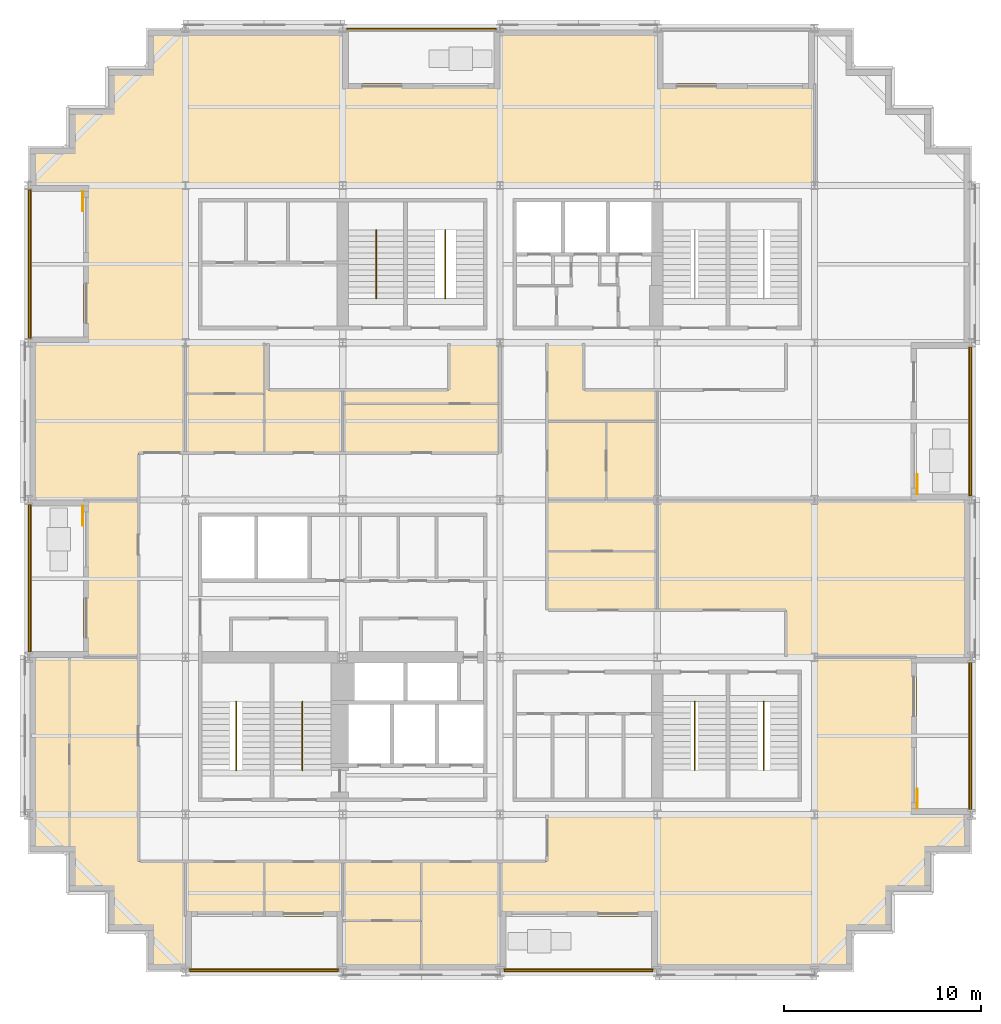
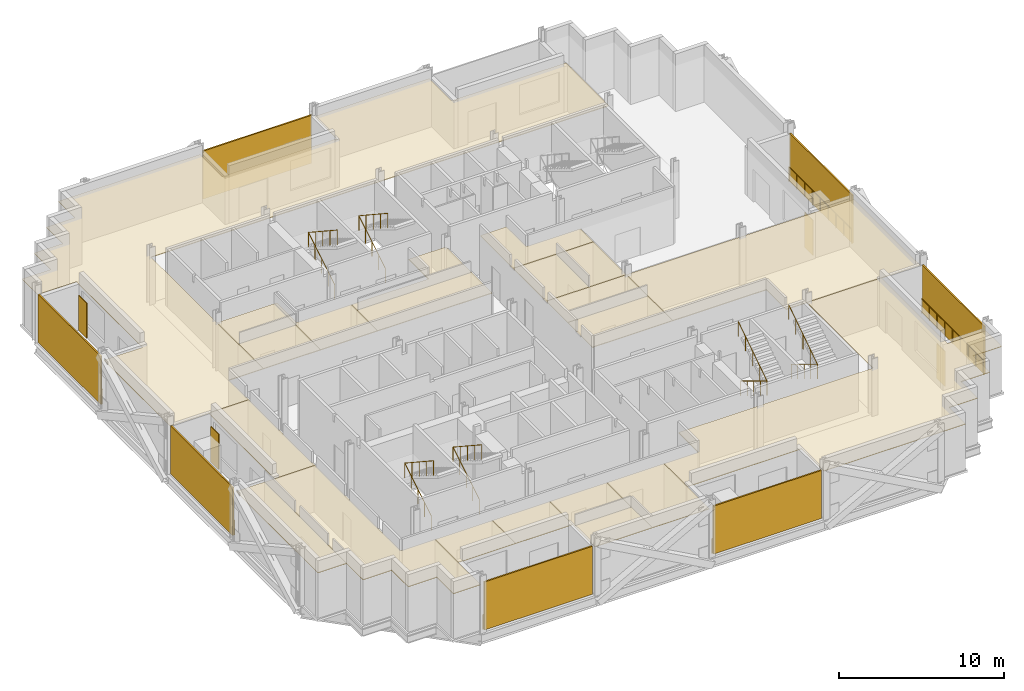
# One storey, part 12 of 14: 21 coverings, 12 railings, 11 shading devices.
"""IFC4 building model written with IfcOpenShell, lengths in metres."""

import ifcopenshell
import ifcopenshell.guid

model = None  # the IFC model being written
_history = None  # IfcOwnerHistory: only IFC2X3 demands one
_inside = {}  # id of a spatial element -> (the spatial element, [elements in it])
_under = {}  # id of a project, library or spatial element -> (it, [spatial elements below it])
_declared = {}  # id of a project -> (the project, [libraries it declares])
_typed = {}  # id of a type object -> (the type object, [elements of that type])
_made_of = {}  # id of a material, layer set ... -> (it, [elements and type objects made of it])


def new_model(schema):
    """Start an empty IFC model of exactly this schema.

    Asked for "IFC4X3", IfcOpenShell would pick the latest addendum, in which some entities
    have other attributes; the version numbers below select the first issue.
    IFC2X3 requires an IfcOwnerHistory on every rooted entity: one is made here for all.
    """
    global model, _history
    if schema == "IFC4X3":
        model = ifcopenshell.file(schema_version=(4, 3, 0, 0))
    else:
        model = ifcopenshell.file(schema=schema)
    _inside.clear()
    _under.clear()
    _declared.clear()
    _typed.clear()
    _made_of.clear()
    _history = None
    if model.schema == "IFC2X3":
        org = make("IfcOrganization", Name="unknown")
        user = make(
            "IfcPersonAndOrganization",
            ThePerson=make("IfcPerson", FamilyName="unknown"),
            TheOrganization=org,
        )
        app = make(
            "IfcApplication",
            ApplicationDeveloper=org,
            Version="unknown",
            ApplicationFullName="unknown",
            ApplicationIdentifier="unknown",
        )
        _history = make(
            "IfcOwnerHistory",
            OwningUser=user,
            OwningApplication=app,
            ChangeAction="ADDED",
            CreationDate=0,
        )
    return model


def make(cls, **values):
    """One entity of the class cls with the attributes given. An attribute that is None is left unset."""
    return model.create_entity(
        cls, **{name: value for name, value in values.items() if value is not None}
    )


def rooted(cls, **values):
    """An entity with a GlobalId (a new one), such as an element, a storey or a relation."""
    return make(cls, GlobalId=ifcopenshell.guid.new(), OwnerHistory=_history, **values)


def si_unit(unit_type, name, prefix=None):
    """IfcSIUnit, for example si_unit("LENGTHUNIT", "METRE", prefix="MILLI")."""
    return make("IfcSIUnit", UnitType=unit_type, Prefix=prefix, Name=name)


def assignment(units):
    """IfcUnitAssignment: the units of a project."""
    return None if units is None else make("IfcUnitAssignment", Units=units)


def point(xyz):
    """IfcCartesianPoint."""
    return None if xyz is None else make("IfcCartesianPoint", Coordinates=xyz)


def direction(xyz):
    """IfcDirection."""
    return None if xyz is None else make("IfcDirection", DirectionRatios=xyz)


def frame(location, z_axis=None, x_axis=None):
    """IfcAxis2Placement3D, a coordinate frame: its origin and axes. An axis left out is left unset."""
    return make(
        "IfcAxis2Placement3D",
        Location=point(location),
        Axis=direction(z_axis),
        RefDirection=direction(x_axis),
    )


def frame_2d(location, x_axis=None):
    """IfcAxis2Placement2D, a coordinate frame in the plane: its origin and x axis."""
    return make(
        "IfcAxis2Placement2D", Location=point(location), RefDirection=direction(x_axis)
    )


def origin():
    """The frame at (0, 0, 0) with its axes left unset."""
    return frame((0.0, 0.0, 0.0))


def origin_2d():
    """The frame at (0, 0) in the plane with its x axis left unset."""
    return frame_2d((0.0, 0.0))


def place(relative_to, where):
    """IfcLocalPlacement: puts the frame where relative to a parent placement (None: the world)."""
    return make(
        "IfcLocalPlacement", PlacementRelTo=relative_to, RelativePlacement=where
    )


def context(
    kind, dimensions, precision=None, world=None, true_north=None, identifier=None
):
    """IfcGeometricRepresentationContext, for example the 3D "Model" context."""
    return make(
        "IfcGeometricRepresentationContext",
        ContextIdentifier=identifier,
        ContextType=kind,
        CoordinateSpaceDimension=dimensions,
        Precision=precision,
        WorldCoordinateSystem=world,
        TrueNorth=true_north,
    )


def subcontext(parent, identifier, kind, view, scale=None):
    """IfcGeometricRepresentationSubContext, for example "Body" below "Model"."""
    return make(
        "IfcGeometricRepresentationSubContext",
        ContextIdentifier=identifier,
        ContextType=kind,
        ParentContext=parent,
        TargetScale=scale,
        TargetView=view,
    )


def project(units=None, contexts=None):
    """IfcProject with its units and contexts."""
    return rooted(
        "IfcProject",
        Name="project",
        RepresentationContexts=contexts,
        UnitsInContext=assignment(units),
    )


def spatial(cls, under=None, at=None, **own):
    """A site, building, storey or space (cls), placed at a placement, below another one or the project."""
    s = rooted(cls, ObjectPlacement=at, **own)
    if under is not None:
        _under.setdefault(under.id(), (under, []))[1].append(s)
    return s


def polyline(points):
    """IfcPolyline through the points."""
    return make("IfcPolyline", Points=[point(p) for p in points])


def profile(cls, at=None, kind="AREA", **sizes):
    """A parametric profile (cls). Its sizes go by their IFC names, for example OverallWidth=200.0."""
    return make(cls, ProfileType=kind, Position=at, **sizes)


def rectangle(**sizes):
    """IfcRectangleProfileDef."""
    return profile("IfcRectangleProfileDef", **sizes)


def circle(**sizes):
    """IfcCircleProfileDef."""
    return profile("IfcCircleProfileDef", **sizes)


def outline(outer, holes=None, kind="AREA"):
    """IfcArbitraryClosedProfileDef: a profile drawn as a closed curve; with holes, ...WithVoids."""
    if holes is None:
        return make("IfcArbitraryClosedProfileDef", ProfileType=kind, OuterCurve=outer)
    return make(
        "IfcArbitraryProfileDefWithVoids",
        ProfileType=kind,
        OuterCurve=outer,
        InnerCurves=holes,
    )


def extrude(swept, where, along, depth):
    """IfcExtrudedAreaSolid: the profile swept, set in the frame where, extruded along a direction by depth."""
    return make(
        "IfcExtrudedAreaSolid",
        SweptArea=swept,
        Position=where,
        ExtrudedDirection=direction(along),
        Depth=depth,
    )


def shape(context_of_items, identifier, shape_type, items):
    """IfcShapeRepresentation: the items that make up one representation, for example the "Body"."""
    return make(
        "IfcShapeRepresentation",
        ContextOfItems=context_of_items,
        RepresentationIdentifier=identifier,
        RepresentationType=shape_type,
        Items=items,
    )


def material(Name=None, Category=None):
    """IfcMaterial."""
    return make("IfcMaterial", Name=Name, Category=Category)


def layer(
    of_material, thickness, ventilated=None, Name=None, Category=None, Priority=None
):
    """IfcMaterialLayer: one layer of a wall or slab, of a material (None: an air gap)."""
    return make(
        "IfcMaterialLayer",
        Material=of_material,
        LayerThickness=thickness,
        IsVentilated=ventilated,
        Name=Name,
        Category=Category,
        Priority=Priority,
    )


def layer_set(layers, Name=None):
    """IfcMaterialLayerSet."""
    return make("IfcMaterialLayerSet", MaterialLayers=layers, LayerSetName=Name)


def made_of(thing, what):
    """Note that an element or type object is made of a material, layer set ...; save() writes the relation."""
    if what is not None:
        _made_of.setdefault(what.id(), (what, []))[1].append(thing)
    return thing


def type_object(cls, material=None, **own):
    """A type object (cls), such as IfcWallType, which elements share."""
    return made_of(rooted(cls, **own), material)


def element(
    cls,
    number,
    at=None,
    inside=None,
    cuts=None,
    type_object=None,
    material=None,
    context=None,
    identifier="Body",
    shape_type=None,
    held_by="IfcProductDefinitionShape",
    body=None,
    shapes=None,
    **own,
):
    """One element of the class cls, such as IfcWall. Its Tag is "e" and its number.

    at: its placement. inside: the storey or other place that contains it. cuts: it is an
    opening in that element (IfcRelVoidsElement). A single representation is given by context,
    identifier, shape_type and body (its items); several are given by shapes. held_by: the class
    of the entity that holds the representations. save() writes the other relations.
    """
    e = rooted(cls, Tag="e%d" % number, ObjectPlacement=at, **own)
    if body is not None:
        shapes = [shape(context, identifier, shape_type, body)]
    if shapes is not None:
        e.Representation = make(held_by, Representations=shapes)
    if inside is not None:
        _inside.setdefault(inside.id(), (inside, []))[1].append(e)
    if cuts is not None:
        rooted(
            "IfcRelVoidsElement", RelatingBuildingElement=cuts, RelatedOpeningElement=e
        )
    if type_object is not None:
        _typed.setdefault(type_object.id(), (type_object, []))[1].append(e)
    return made_of(e, material)


def aggregate(whole, parts):
    """IfcRelAggregates: a whole, such as a stair, and the parts it consists of."""
    return rooted("IfcRelAggregates", RelatingObject=whole, RelatedObjects=parts)


def save(model, path):
    """Write the relations noted so far, then the file.

    IfcRelAggregates (storeys below a building ...), IfcRelContainedInSpatialStructure (elements
    in a storey), IfcRelDefinesByType, IfcRelAssociatesMaterial and IfcRelDeclares: one each for
    every whole, place, type object, material and project.
    """
    for whole, parts in _under.values():
        aggregate(whole, parts)
    for where, things in _inside.values():
        rooted(
            "IfcRelContainedInSpatialStructure",
            RelatedElements=things,
            RelatingStructure=where,
        )
    for kind, things in _typed.values():
        rooted("IfcRelDefinesByType", RelatedObjects=things, RelatingType=kind)
    for what, things in _made_of.values():
        rooted("IfcRelAssociatesMaterial", RelatedObjects=things, RelatingMaterial=what)
    for by, libraries in _declared.values():
        rooted("IfcRelDeclares", RelatingContext=by, RelatedDefinitions=libraries)
    model.write(path)


model = new_model("IFC4")

# Units and contexts
model_context = context("Model", 3, precision=1e-05, world=origin(), true_north=direction((0.0, 1.0)))
body_context = subcontext(model_context, "Body", "Model", "MODEL_VIEW")
ifc_project = project(units=[si_unit("LENGTHUNIT", "METRE"), si_unit("AREAUNIT", "SQUARE_METRE"), si_unit("VOLUMEUNIT", "CUBIC_METRE"), si_unit("PLANEANGLEUNIT", "RADIAN"), si_unit("MASSUNIT", "GRAM", prefix="KILO")], contexts=[model_context])

# Site, building, storey
site_placement = place(None, origin())
site = spatial("IfcSite", under=ifc_project, at=site_placement, CompositionType="ELEMENT")
building_placement = place(site_placement, origin())
building = spatial("IfcBuilding", under=site, at=building_placement, Name="Immortelle Media Tower", CompositionType="ELEMENT")
storey_placement = place(building_placement, frame((0.0, 0.0, 39.199951171875)))
storey = spatial("IfcBuildingStorey", under=building, at=storey_placement, Name="L05", CompositionType="ELEMENT", Elevation=39.199951171875)

# Railings
ifc_material_1 = material(Name="Powder-coated aluminium fretwork panel, laminated glass backing", Category="aluminium")
railing_type_1 = type_object("IfcRailingType", Name="Fretwork balustrade 1100", PredefinedType="BALUSTRADE", material=ifc_material_1)
railing_1_placement = place(storey_placement, frame((0.139892578125, 39.79150390625, 0.0)))
element("IfcRailing", 1, at=railing_1_placement, inside=storey, type_object=railing_type_1, Name="Fretwork balustrade L05 W0", PredefinedType="BALUSTRADE", context=body_context, shape_type="SweptSolid", body=[
    extrude(circle(Radius=0.02490234375, at=origin_2d()), frame((0.0, 0.0, 1.0751953125), z_axis=(0.0, -1.0, 0.0), x_axis=(1.0, 0.0, 0.0)), (0.0, 0.0, 1.0), 7.574462890625),
    extrude(circle(Radius=0.02001953125, at=origin_2d()), origin(), (0.0, 0.0, 1.0), 1.050048828125),
    extrude(circle(Radius=0.02001953125, at=origin_2d()), frame((0.0, -0.94677734375, 0.0)), (0.0, 0.0, 1.0), 1.050048828125),
    extrude(circle(Radius=0.02001953125, at=origin_2d()), frame((0.0, -1.8935546875, 0.0)), (0.0, 0.0, 1.0), 1.050048828125),
    extrude(circle(Radius=0.02001953125, at=origin_2d()), frame((0.0, -2.84033203125, 0.0)), (0.0, 0.0, 1.0), 1.050048828125),
    extrude(circle(Radius=0.02001953125, at=origin_2d()), frame((0.0, -3.787109375, 0.0)), (0.0, 0.0, 1.0), 1.050048828125),
    extrude(circle(Radius=0.02001953125, at=origin_2d()), frame((0.0, -4.734130859375, 0.0)), (0.0, 0.0, 1.0), 1.050048828125),
    extrude(circle(Radius=0.02001953125, at=origin_2d()), frame((0.0, -5.680908203125, 0.0)), (0.0, 0.0, 1.0), 1.050048828125),
    extrude(circle(Radius=0.02001953125, at=origin_2d()), frame((0.0, -6.627685546875, 0.0)), (0.0, 0.0, 1.0), 1.050048828125),
    extrude(circle(Radius=0.02001953125, at=origin_2d()), frame((0.0, -7.574462890625, 0.0)), (0.0, 0.0, 1.0), 1.050048828125),
])
railing_2_placement = place(storey_placement, frame((0.139892578125, 23.782958984375, 0.0)))
element("IfcRailing", 2, at=railing_2_placement, inside=storey, type_object=railing_type_1, Name="Fretwork balustrade L05 W2", PredefinedType="BALUSTRADE", context=body_context, shape_type="SweptSolid", body=[
    extrude(circle(Radius=0.02490234375, at=origin_2d()), frame((0.0, 0.0, 1.0751953125), z_axis=(0.0, -1.0, 0.0), x_axis=(1.0, 0.0, 0.0)), (0.0, 0.0, 1.0), 7.517578125),
    extrude(circle(Radius=0.02001953125, at=origin_2d()), origin(), (0.0, 0.0, 1.0), 1.050048828125),
    extrude(circle(Radius=0.02001953125, at=origin_2d()), frame((0.0, -0.939697265625, 0.0)), (0.0, 0.0, 1.0), 1.050048828125),
    extrude(circle(Radius=0.02001953125, at=origin_2d()), frame((0.0, -1.87939453125, 0.0)), (0.0, 0.0, 1.0), 1.050048828125),
    extrude(circle(Radius=0.02001953125, at=origin_2d()), frame((0.0, -2.819091796875, 0.0)), (0.0, 0.0, 1.0), 1.050048828125),
    extrude(circle(Radius=0.02001953125, at=origin_2d()), frame((0.0, -3.7587890625, 0.0)), (0.0, 0.0, 1.0), 1.050048828125),
    extrude(circle(Radius=0.02001953125, at=origin_2d()), frame((0.0, -4.698486328125, 0.0)), (0.0, 0.0, 1.0), 1.050048828125),
    extrude(circle(Radius=0.02001953125, at=origin_2d()), frame((0.0, -5.63818359375, 0.0)), (0.0, 0.0, 1.0), 1.050048828125),
    extrude(circle(Radius=0.02001953125, at=origin_2d()), frame((0.0, -6.577880859375, 0.0)), (0.0, 0.0, 1.0), 1.050048828125),
    extrude(circle(Radius=0.02001953125, at=origin_2d()), frame((0.0, -7.517578125, 0.0)), (0.0, 0.0, 1.0), 1.050048828125),
])
railing_3_placement = place(storey_placement, frame((8.216064453125, 0.139892578125, 0.0)))
element("IfcRailing", 3, at=railing_3_placement, inside=storey, type_object=railing_type_1, Name="Fretwork balustrade L05 S0", PredefinedType="BALUSTRADE", context=body_context, shape_type="SweptSolid", body=[
    extrude(circle(Radius=0.02490234375, at=origin_2d()), frame((0.0, 0.0, 1.0751953125), z_axis=(1.0, 0.0, 0.0), x_axis=(0.0, 1.0, 0.0)), (0.0, 0.0, 1.0), 7.56298828125),
    extrude(circle(Radius=0.02001953125, at=origin_2d()), origin(), (0.0, 0.0, 1.0), 1.050048828125),
    extrude(circle(Radius=0.02001953125, at=origin_2d()), frame((0.9453125, 0.0, 0.0)), (0.0, 0.0, 1.0), 1.050048828125),
    extrude(circle(Radius=0.02001953125, at=origin_2d()), frame((1.890625, 0.0, 0.0)), (0.0, 0.0, 1.0), 1.050048828125),
    extrude(circle(Radius=0.02001953125, at=origin_2d()), frame((2.836181640625, 0.0, 0.0)), (0.0, 0.0, 1.0), 1.050048828125),
    extrude(circle(Radius=0.02001953125, at=origin_2d()), frame((3.781494140625, 0.0, 0.0)), (0.0, 0.0, 1.0), 1.050048828125),
    extrude(circle(Radius=0.02001953125, at=origin_2d()), frame((4.726806640625, 0.0, 0.0)), (0.0, 0.0, 1.0), 1.050048828125),
    extrude(circle(Radius=0.02001953125, at=origin_2d()), frame((5.67236328125, 0.0, 0.0)), (0.0, 0.0, 1.0), 1.050048828125),
    extrude(circle(Radius=0.02001953125, at=origin_2d()), frame((6.61767578125, 0.0, 0.0)), (0.0, 0.0, 1.0), 1.050048828125),
    extrude(circle(Radius=0.02001953125, at=origin_2d()), frame((7.56298828125, 0.0, 0.0)), (0.0, 0.0, 1.0), 1.050048828125),
])
railing_4_placement = place(storey_placement, frame((24.220947265625, 0.139892578125, 0.0)))
element("IfcRailing", 4, at=railing_4_placement, inside=storey, type_object=railing_type_1, Name="Fretwork balustrade L05 S2", PredefinedType="BALUSTRADE", context=body_context, shape_type="SweptSolid", body=[
    extrude(circle(Radius=0.02490234375, at=origin_2d()), frame((0.0, 0.0, 1.0751953125), z_axis=(1.0, 0.0, 0.0), x_axis=(0.0, 1.0, 0.0)), (0.0, 0.0, 1.0), 7.55810546875),
    extrude(circle(Radius=0.02001953125, at=origin_2d()), origin(), (0.0, 0.0, 1.0), 1.050048828125),
    extrude(circle(Radius=0.02001953125, at=origin_2d()), frame((0.94482421875, 0.0, 0.0)), (0.0, 0.0, 1.0), 1.050048828125),
    extrude(circle(Radius=0.02001953125, at=origin_2d()), frame((1.8896484375, 0.0, 0.0)), (0.0, 0.0, 1.0), 1.050048828125),
    extrude(circle(Radius=0.02001953125, at=origin_2d()), frame((2.834228515625, 0.0, 0.0)), (0.0, 0.0, 1.0), 1.050048828125),
    extrude(circle(Radius=0.02001953125, at=origin_2d()), frame((3.779052734375, 0.0, 0.0)), (0.0, 0.0, 1.0), 1.050048828125),
    extrude(circle(Radius=0.02001953125, at=origin_2d()), frame((4.723876953125, 0.0, 0.0)), (0.0, 0.0, 1.0), 1.050048828125),
    extrude(circle(Radius=0.02001953125, at=origin_2d()), frame((5.66845703125, 0.0, 0.0)), (0.0, 0.0, 1.0), 1.050048828125),
    extrude(circle(Radius=0.02001953125, at=origin_2d()), frame((6.61328125, 0.0, 0.0)), (0.0, 0.0, 1.0), 1.050048828125),
    extrude(circle(Radius=0.02001953125, at=origin_2d()), frame((7.55810546875, 0.0, 0.0)), (0.0, 0.0, 1.0), 1.050048828125),
])
railing_5_placement = place(storey_placement, frame((47.860107421875, 8.2490234375, 0.0)))
element("IfcRailing", 5, at=railing_5_placement, inside=storey, type_object=railing_type_1, Name="Fretwork balustrade L05 E0", PredefinedType="BALUSTRADE", context=body_context, shape_type="SweptSolid", body=[
    extrude(circle(Radius=0.02490234375, at=origin_2d()), frame((0.0, 0.0, 1.0751953125), z_axis=(0.0, 1.0, 0.0), x_axis=(-1.0, 0.0, 0.0)), (0.0, 0.0, 1.0), 7.485595703125),
    extrude(circle(Radius=0.02001953125, at=origin_2d()), origin(), (0.0, 0.0, 1.0), 1.050048828125),
    extrude(circle(Radius=0.02001953125, at=origin_2d()), frame((0.0, 0.935791015625, 0.0)), (0.0, 0.0, 1.0), 1.050048828125),
    extrude(circle(Radius=0.02001953125, at=origin_2d()), frame((0.0, 1.871337890625, 0.0)), (0.0, 0.0, 1.0), 1.050048828125),
    extrude(circle(Radius=0.02001953125, at=origin_2d()), frame((0.0, 2.80712890625, 0.0)), (0.0, 0.0, 1.0), 1.050048828125),
    extrude(circle(Radius=0.02001953125, at=origin_2d()), frame((0.0, 3.74267578125, 0.0)), (0.0, 0.0, 1.0), 1.050048828125),
    extrude(circle(Radius=0.02001953125, at=origin_2d()), frame((0.0, 4.678466796875, 0.0)), (0.0, 0.0, 1.0), 1.050048828125),
    extrude(circle(Radius=0.02001953125, at=origin_2d()), frame((0.0, 5.6142578125, 0.0)), (0.0, 0.0, 1.0), 1.050048828125),
    extrude(circle(Radius=0.02001953125, at=origin_2d()), frame((0.0, 6.5498046875, 0.0)), (0.0, 0.0, 1.0), 1.050048828125),
    extrude(circle(Radius=0.02001953125, at=origin_2d()), frame((0.0, 7.485595703125, 0.0)), (0.0, 0.0, 1.0), 1.050048828125),
])
railing_6_placement = place(storey_placement, frame((47.860107421875, 24.20849609375, 0.0)))
element("IfcRailing", 6, at=railing_6_placement, inside=storey, type_object=railing_type_1, Name="Fretwork balustrade L05 E2", PredefinedType="BALUSTRADE", context=body_context, shape_type="SweptSolid", body=[
    extrude(circle(Radius=0.02490234375, at=origin_2d()), frame((0.0, 0.0, 1.0751953125), z_axis=(0.0, 1.0, 0.0), x_axis=(-1.0, 0.0, 0.0)), (0.0, 0.0, 1.0), 7.5830078125),
    extrude(circle(Radius=0.02001953125, at=origin_2d()), origin(), (0.0, 0.0, 1.0), 1.050048828125),
    extrude(circle(Radius=0.02001953125, at=origin_2d()), frame((0.0, 0.94775390625, 0.0)), (0.0, 0.0, 1.0), 1.050048828125),
    extrude(circle(Radius=0.02001953125, at=origin_2d()), frame((0.0, 1.895751953125, 0.0)), (0.0, 0.0, 1.0), 1.050048828125),
    extrude(circle(Radius=0.02001953125, at=origin_2d()), frame((0.0, 2.84375, 0.0)), (0.0, 0.0, 1.0), 1.050048828125),
    extrude(circle(Radius=0.02001953125, at=origin_2d()), frame((0.0, 3.79150390625, 0.0)), (0.0, 0.0, 1.0), 1.050048828125),
    extrude(circle(Radius=0.02001953125, at=origin_2d()), frame((0.0, 4.7392578125, 0.0)), (0.0, 0.0, 1.0), 1.050048828125),
    extrude(circle(Radius=0.02001953125, at=origin_2d()), frame((0.0, 5.687255859375, 0.0)), (0.0, 0.0, 1.0), 1.050048828125),
    extrude(circle(Radius=0.02001953125, at=origin_2d()), frame((0.0, 6.63525390625, 0.0)), (0.0, 0.0, 1.0), 1.050048828125),
    extrude(circle(Radius=0.02001953125, at=origin_2d()), frame((0.0, 7.5830078125, 0.0)), (0.0, 0.0, 1.0), 1.050048828125),
])

# Shading devices
ifc_material_2 = material(Name="Pale aluminium louvre blades", Category="aluminium")
ifc_layer_1 = layer(ifc_material_2, 0.10009765625)
ifc_layer_set_1 = layer_set([ifc_layer_1], Name="Pale aluminium louvre blades")
shading_device_type_1 = type_object("IfcShadingDeviceType", Name="Jalousie screen 100", PredefinedType="JALOUSIE", material=ifc_layer_set_1)
shading_device_1_placement = place(storey_placement, frame((0.050048828125, 36.004150390625, 0.0), z_axis=(0.0, 0.0, 1.0), x_axis=(0.0, -1.0, 0.0)))
element("IfcShadingDevice", 7, at=shading_device_1_placement, inside=storey, type_object=shading_device_type_1, Name="Jalousie screen L05 W0", PredefinedType="JALOUSIE", context=body_context, shape_type="SweptSolid", body=[
    extrude(rectangle(XDim=7.574462890625, YDim=0.10009765625, at=origin_2d()), origin(), (0.0, 0.0, 1.0), 3.553955078125),
])
shading_device_2_placement = place(storey_placement, frame((0.050048828125, 20.024169921875, 0.0), z_axis=(0.0, 0.0, 1.0), x_axis=(0.0, -1.0, 0.0)))
element("IfcShadingDevice", 8, at=shading_device_2_placement, inside=storey, type_object=shading_device_type_1, Name="Jalousie screen L05 W2", PredefinedType="JALOUSIE", context=body_context, shape_type="SweptSolid", body=[
    extrude(rectangle(XDim=7.517578125, YDim=0.10009765625, at=origin_2d()), origin(), (0.0, 0.0, 1.0), 3.553955078125),
])
shading_device_3_placement = place(storey_placement, frame((11.99755859375, 0.050048828125, 0.0), z_axis=(0.0, 0.0, 1.0), x_axis=(1.0, 0.0, 0.0)))
element("IfcShadingDevice", 9, at=shading_device_3_placement, inside=storey, type_object=shading_device_type_1, Name="Jalousie screen L05 S0", PredefinedType="JALOUSIE", context=body_context, shape_type="SweptSolid", body=[
    extrude(rectangle(XDim=7.56298828125, YDim=0.10009765625, at=origin_2d()), origin(), (0.0, 0.0, 1.0), 3.553955078125),
])
shading_device_4_placement = place(storey_placement, frame((28.0, 0.050048828125, 0.0), z_axis=(0.0, 0.0, 1.0), x_axis=(1.0, 0.0, 0.0)))
element("IfcShadingDevice", 10, at=shading_device_4_placement, inside=storey, type_object=shading_device_type_1, Name="Jalousie screen L05 S2", PredefinedType="JALOUSIE", context=body_context, shape_type="SweptSolid", body=[
    extrude(rectangle(XDim=7.55810546875, YDim=0.10009765625, at=origin_2d()), origin(), (0.0, 0.0, 1.0), 3.553955078125),
])
shading_device_5_placement = place(storey_placement, frame((47.949951171875, 11.99169921875, 0.0), z_axis=(0.0, 0.0, 1.0), x_axis=(0.0, 1.0, 0.0)))
element("IfcShadingDevice", 11, at=shading_device_5_placement, inside=storey, type_object=shading_device_type_1, Name="Jalousie screen L05 E0", PredefinedType="JALOUSIE", context=body_context, shape_type="SweptSolid", body=[
    extrude(rectangle(XDim=7.485595703125, YDim=0.10009765625, at=origin_2d()), origin(), (0.0, 0.0, 1.0), 3.553955078125),
])
shading_device_6_placement = place(storey_placement, frame((47.949951171875, 28.0, 0.0), z_axis=(0.0, 0.0, 1.0), x_axis=(0.0, 1.0, 0.0)))
element("IfcShadingDevice", 12, at=shading_device_6_placement, inside=storey, type_object=shading_device_type_1, Name="Jalousie screen L05 E2", PredefinedType="JALOUSIE", context=body_context, shape_type="SweptSolid", body=[
    extrude(rectangle(XDim=7.5830078125, YDim=0.10009765625, at=origin_2d()), origin(), (0.0, 0.0, 1.0), 3.553955078125),
])
shading_device_7_placement = place(storey_placement, frame((20.001220703125, 47.949951171875, 0.0), z_axis=(0.0, 0.0, 1.0), x_axis=(-1.0, 0.0, 0.0)))
element("IfcShadingDevice", 13, at=shading_device_7_placement, inside=storey, type_object=shading_device_type_1, Name="Jalousie screen L05 N2", PredefinedType="JALOUSIE", context=body_context, shape_type="SweptSolid", body=[
    extrude(rectangle(XDim=7.591552734375, YDim=0.10009765625, at=origin_2d()), origin(), (0.0, 0.0, 1.0), 3.553955078125),
])
ifc_material_3 = material(Name="Pale aluminium louvre blades in a folding frame", Category="aluminium")
ifc_layer_2 = layer(ifc_material_3, 0.050048828125)
ifc_layer_set_2 = layer_set([ifc_layer_2], Name="Pale aluminium louvre blades in a folding frame")
shading_device_type_2 = type_object("IfcShadingDeviceType", Name="Louvred loggia shutter", PredefinedType="SHUTTER", material=ifc_layer_set_2)
for number, where, z_axis, x_axis, name in (
    (14, (2.77490234375, 39.199951171875, 0.0), (0.0, 0.0, 1.0), (0.0, -1.0, 0.0), "Loggia shutter L05 W0"),
    (15, (2.77490234375, 23.199951171875, 0.0), (0.0, 0.0, 1.0), (0.0, -1.0, 0.0), "Loggia shutter L05 W2"),
    (16, (45.22509765625, 8.800048828125, 0.0), (0.0, 0.0, 1.0), (0.0, 1.0, 0.0), "Loggia shutter L05 E0"),
    (17, (45.22509765625, 24.800048828125, 0.0), (0.0, 0.0, 1.0), (0.0, 1.0, 0.0), "Loggia shutter L05 E2"),
):
    element("IfcShadingDevice", number, at=place(storey_placement, frame(where, z_axis=z_axis, x_axis=x_axis)), inside=storey, type_object=shading_device_type_2, Name=name, PredefinedType="SHUTTER", context=body_context, shape_type="SweptSolid", body=[
        extrude(rectangle(XDim=1.0, YDim=0.050048828125, at=origin_2d()), origin(), (0.0, 0.0, 1.0), 2.60009765625),
    ])

# Railings
ifc_material_4 = material(Name="Stainless steel AISI 316", Category="steel")
railing_type_2 = type_object("IfcRailingType", Name="Stair guard 1100", PredefinedType="GUARDRAIL", material=ifc_material_4)
for number, where, name in (
    (18, (10.574951171875, 10.5400390625, 0.176025390625), "Stair guard SW1"),
    (19, (13.949951171875, 10.5400390625, 0.176025390625), "Stair guard SW2"),
):
    element("IfcRailing", number, at=place(storey_placement, frame(where)), inside=storey, type_object=railing_type_2, Name=name, PredefinedType="GUARDRAIL", context=body_context, shape_type="SweptSolid", body=[
        extrude(circle(Radius=0.02392578125, at=origin_2d()), frame((0.0, 0.0, 1.076171875), z_axis=(0.0, 0.854872504309, 0.518838126371), x_axis=(-1.0, 0.0, 0.0)), (0.0, 0.0, 1.0), 3.7314453125),
        extrude(circle(Radius=0.02392578125, at=origin_2d()), frame((0.0, 3.18994140625, 3.01220703125), z_axis=(0.0, -0.835568629342, 0.549386080693), x_axis=(1.0, 0.0, 0.0)), (0.0, 0.0, 1.0), 4.164794921875),
        extrude(circle(Radius=0.02099609375, at=origin_2d()), origin(), (0.0, 0.0, 1.0), 1.052001953125),
        extrude(circle(Radius=0.02099609375, at=origin_2d()), frame((0.0, 0.79736328125, 0.48388671875)), (0.0, 0.0, 1.0), 1.052001953125),
        extrude(circle(Radius=0.02099609375, at=origin_2d()), frame((0.0, 1.594970703125, 0.968017578125)), (0.0, 0.0, 1.0), 1.052001953125),
        extrude(circle(Radius=0.02099609375, at=origin_2d()), frame((0.0, 2.392578125, 1.4521484375)), (0.0, 0.0, 1.0), 1.052001953125),
        extrude(circle(Radius=0.02099609375, at=origin_2d()), frame((0.0, 3.18994140625, 1.93603515625)), (0.0, 0.0, 1.0), 1.052001953125),
        extrude(circle(Radius=0.02099609375, at=origin_2d()), frame((0.0, 2.31982421875, 2.508056640625)), (0.0, 0.0, 1.0), 1.052001953125),
        extrude(circle(Radius=0.02099609375, at=origin_2d()), frame((0.0, 1.449951171875, 3.080078125)), (0.0, 0.0, 1.0), 1.052001953125),
        extrude(circle(Radius=0.02099609375, at=origin_2d()), frame((0.0, 0.580078125, 3.652099609375)), (0.0, 0.0, 1.0), 1.052001953125),
        extrude(circle(Radius=0.02099609375, at=origin_2d()), frame((0.0, -0.2900390625, 4.22412109375)), (0.0, 0.0, 1.0), 1.052001953125),
    ])
for number, where, name in (
    (20, (33.89990234375, 13.4599609375, 0.176025390625), "Stair guard SE1"),
    (21, (37.425048828125, 13.4599609375, 0.176025390625), "Stair guard SE2"),
):
    element("IfcRailing", number, at=place(storey_placement, frame(where)), inside=storey, type_object=railing_type_2, Name=name, PredefinedType="GUARDRAIL", context=body_context, shape_type="SweptSolid", body=[
        extrude(circle(Radius=0.02392578125, at=origin_2d()), frame((0.0, 0.0, 1.076171875), z_axis=(0.0, -0.854872504309, 0.518838126371), x_axis=(1.0, 0.0, 0.0)), (0.0, 0.0, 1.0), 3.7314453125),
        extrude(circle(Radius=0.02392578125, at=origin_2d()), frame((0.0, -3.18994140625, 3.01220703125), z_axis=(0.0, 0.835568629342, 0.549386080693), x_axis=(-1.0, 0.0, 0.0)), (0.0, 0.0, 1.0), 4.164794921875),
        extrude(circle(Radius=0.02099609375, at=origin_2d()), origin(), (0.0, 0.0, 1.0), 1.052001953125),
        extrude(circle(Radius=0.02099609375, at=origin_2d()), frame((0.0, -0.79736328125, 0.48388671875)), (0.0, 0.0, 1.0), 1.052001953125),
        extrude(circle(Radius=0.02099609375, at=origin_2d()), frame((0.0, -1.594970703125, 0.968017578125)), (0.0, 0.0, 1.0), 1.052001953125),
        extrude(circle(Radius=0.02099609375, at=origin_2d()), frame((0.0, -2.392578125, 1.4521484375)), (0.0, 0.0, 1.0), 1.052001953125),
        extrude(circle(Radius=0.02099609375, at=origin_2d()), frame((0.0, -3.18994140625, 1.93603515625)), (0.0, 0.0, 1.0), 1.052001953125),
        extrude(circle(Radius=0.02099609375, at=origin_2d()), frame((0.0, -2.31982421875, 2.508056640625)), (0.0, 0.0, 1.0), 1.052001953125),
        extrude(circle(Radius=0.02099609375, at=origin_2d()), frame((0.0, -1.449951171875, 3.080078125)), (0.0, 0.0, 1.0), 1.052001953125),
        extrude(circle(Radius=0.02099609375, at=origin_2d()), frame((0.0, -0.580078125, 3.652099609375)), (0.0, 0.0, 1.0), 1.052001953125),
        extrude(circle(Radius=0.02099609375, at=origin_2d()), frame((0.0, 0.2900390625, 4.22412109375)), (0.0, 0.0, 1.0), 1.052001953125),
    ])
for number, where, name in (
    (22, (17.699951171875, 34.5400390625, 0.176025390625), "Stair guard NW1"),
    (23, (21.22509765625, 34.5400390625, 0.176025390625), "Stair guard NW2"),
):
    element("IfcRailing", number, at=place(storey_placement, frame(where)), inside=storey, type_object=railing_type_2, Name=name, PredefinedType="GUARDRAIL", context=body_context, shape_type="SweptSolid", body=[
        extrude(circle(Radius=0.02392578125, at=origin_2d()), frame((0.0, 0.0, 1.076171875), z_axis=(0.0, 0.854872504309, 0.518838126371), x_axis=(-1.0, 0.0, 0.0)), (0.0, 0.0, 1.0), 3.7314453125),
        extrude(circle(Radius=0.02392578125, at=origin_2d()), frame((0.0, 3.18994140625, 3.01220703125), z_axis=(0.0, -0.835568629342, 0.549386080693), x_axis=(1.0, 0.0, 0.0)), (0.0, 0.0, 1.0), 4.164794921875),
        extrude(circle(Radius=0.02099609375, at=origin_2d()), origin(), (0.0, 0.0, 1.0), 1.052001953125),
        extrude(circle(Radius=0.02099609375, at=origin_2d()), frame((0.0, 0.79736328125, 0.48388671875)), (0.0, 0.0, 1.0), 1.052001953125),
        extrude(circle(Radius=0.02099609375, at=origin_2d()), frame((0.0, 1.594970703125, 0.968017578125)), (0.0, 0.0, 1.0), 1.052001953125),
        extrude(circle(Radius=0.02099609375, at=origin_2d()), frame((0.0, 2.392578125, 1.4521484375)), (0.0, 0.0, 1.0), 1.052001953125),
        extrude(circle(Radius=0.02099609375, at=origin_2d()), frame((0.0, 3.18994140625, 1.93603515625)), (0.0, 0.0, 1.0), 1.052001953125),
        extrude(circle(Radius=0.02099609375, at=origin_2d()), frame((0.0, 2.31982421875, 2.508056640625)), (0.0, 0.0, 1.0), 1.052001953125),
        extrude(circle(Radius=0.02099609375, at=origin_2d()), frame((0.0, 1.449951171875, 3.080078125)), (0.0, 0.0, 1.0), 1.052001953125),
        extrude(circle(Radius=0.02099609375, at=origin_2d()), frame((0.0, 0.580078125, 3.652099609375)), (0.0, 0.0, 1.0), 1.052001953125),
        extrude(circle(Radius=0.02099609375, at=origin_2d()), frame((0.0, -0.2900390625, 4.22412109375)), (0.0, 0.0, 1.0), 1.052001953125),
    ])

# Coverings
ifc_material_5 = material(Name="Mineral fibre tile ceiling")
ifc_layer_3 = layer(ifc_material_5, 0.050048828125)
ifc_layer_set_3 = layer_set([ifc_layer_3], Name="Mineral fibre tile ceiling")
covering_type = type_object("IfcCoveringType", Name="Suspended ceiling 50", PredefinedType="CEILING", material=ifc_layer_set_3)
covering_1_placement = place(storey_placement, frame((0.0, 0.0, 3.341064453125)))
element("IfcCovering", 24, at=covering_1_placement, inside=storey, type_object=covering_type, Name="Ceiling L05-001", PredefinedType="CEILING", context=body_context, shape_type="SweptSolid", body=[
    extrude(outline(polyline([(16.0, 5.60009765625), (20.0, 5.60009765625), (20.0, 2.60009765625), (16.0, 2.60009765625), (16.0, 2.800048828125), (16.0, 5.60009765625)])), origin(), (0.0, 0.0, 1.0), 0.050048828125),
])
covering_2_placement = place(storey_placement, frame((0.0, 0.0, 3.341064453125)))
element("IfcCovering", 25, at=covering_2_placement, inside=storey, type_object=covering_type, Name="Ceiling L05-002", PredefinedType="CEILING", context=body_context, shape_type="SweptSolid", body=[
    extrude(outline(polyline([(20.0, 0.10009765625), (16.0, 0.10009765625), (16.0, 2.60009765625), (20.0, 2.60009765625), (20.0, 0.10009765625)])), origin(), (0.0, 0.0, 1.0), 0.050048828125),
])
covering_3_placement = place(storey_placement, frame((0.0, 0.0, 3.341064453125)))
element("IfcCovering", 26, at=covering_3_placement, inside=storey, type_object=covering_type, Name="Ceiling L05-003", PredefinedType="CEILING", context=body_context, shape_type="SweptSolid", body=[
    extrude(outline(polyline([(24.0, 5.60009765625), (24.0, 2.800048828125), (24.0, 0.10009765625), (20.0, 0.10009765625), (20.0, 5.60009765625), (24.0, 5.60009765625)])), origin(), (0.0, 0.0, 1.0), 0.050048828125),
])
covering_4_placement = place(storey_placement, frame((0.0, 0.0, 3.341064453125)))
element("IfcCovering", 27, at=covering_4_placement, inside=storey, type_object=covering_type, Name="Ceiling L05-004", PredefinedType="CEILING", context=body_context, shape_type="SweptSolid", body=[
    extrude(outline(polyline([(8.0, 5.60009765625), (12.0, 5.60009765625), (12.0, 2.800048828125), (8.0, 2.800048828125), (8.0, 5.60009765625)])), origin(), (0.0, 0.0, 1.0), 0.050048828125),
])
covering_5_placement = place(storey_placement, frame((0.0, 0.0, 3.341064453125)))
element("IfcCovering", 28, at=covering_5_placement, inside=storey, type_object=covering_type, Name="Ceiling L05-005", PredefinedType="CEILING", context=body_context, shape_type="SweptSolid", body=[
    extrude(outline(polyline([(16.0, 5.60009765625), (16.0, 2.800048828125), (12.0, 2.800048828125), (12.0, 5.60009765625), (16.0, 5.60009765625)])), origin(), (0.0, 0.0, 1.0), 0.050048828125),
])
covering_6_placement = place(storey_placement, frame((0.0, 0.0, 3.341064453125)))
element("IfcCovering", 29, at=covering_6_placement, inside=storey, type_object=covering_type, Name="Ceiling L05-006", PredefinedType="CEILING", context=body_context, shape_type="SweptSolid", body=[
    extrude(outline(polyline([(24.0, 5.60009765625), (26.39990234375, 5.60009765625), (26.39990234375, 8.0), (32.0, 8.0), (40.0, 8.0), (40.0, 16.0), (45.199951171875, 16.0), (45.199951171875, 8.0), (47.89990234375, 8.0), (47.89990234375, 6.10009765625), (45.89990234375, 6.10009765625), (45.89990234375, 4.10009765625), (43.89990234375, 4.10009765625), (43.89990234375, 2.10009765625), (41.89990234375, 2.10009765625), (41.89990234375, 0.10009765625), (40.0, 0.10009765625), (32.0, 0.10009765625), (32.0, 2.800048828125), (24.0, 2.800048828125), (24.0, 5.60009765625)])), origin(), (0.0, 0.0, 1.0), 0.050048828125),
])
covering_7_placement = place(storey_placement, frame((0.0, 0.0, 3.341064453125)))
element("IfcCovering", 30, at=covering_7_placement, inside=storey, type_object=covering_type, Name="Ceiling L05-007", PredefinedType="CEILING", context=body_context, shape_type="SweptSolid", body=[
    extrude(outline(polyline([(4.10009765625, 4.10009765625), (2.10009765625, 4.10009765625), (2.10009765625, 6.10009765625), (2.10009765625, 16.0), (2.800048828125, 16.0), (5.60009765625, 16.0), (5.60009765625, 8.0), (5.60009765625, 5.60009765625), (8.0, 5.60009765625), (8.0, 4.0), (8.0, 2.800048828125), (8.0, 0.10009765625), (6.10009765625, 0.10009765625), (6.10009765625, 2.10009765625), (4.10009765625, 2.10009765625), (4.10009765625, 4.0), (4.10009765625, 4.10009765625)])), origin(), (0.0, 0.0, 1.0), 0.050048828125),
])
covering_8_placement = place(storey_placement, frame((0.0, 0.0, 3.341064453125)))
element("IfcCovering", 31, at=covering_8_placement, inside=storey, type_object=covering_type, Name="Ceiling L05-008", PredefinedType="CEILING", context=body_context, shape_type="SweptSolid", body=[
    extrude(outline(polyline([(0.10009765625, 6.10009765625), (0.10009765625, 8.0), (0.10009765625, 16.0), (2.10009765625, 16.0), (2.10009765625, 6.10009765625), (0.10009765625, 6.10009765625)])), origin(), (0.0, 0.0, 1.0), 0.050048828125),
])
covering_9_placement = place(storey_placement, frame((0.0, 0.0, 3.341064453125)))
element("IfcCovering", 32, at=covering_9_placement, inside=storey, type_object=covering_type, Name="Ceiling L05-009", PredefinedType="CEILING", context=body_context, shape_type="SweptSolid", body=[
    extrude(outline(polyline([(5.60009765625, 19.449951171875), (5.60009765625, 16.0), (2.800048828125, 16.0), (2.800048828125, 24.0), (5.60009765625, 24.0), (5.60009765625, 19.449951171875)])), origin(), (0.0, 0.0, 1.0), 0.050048828125),
])
covering_10_placement = place(storey_placement, frame((0.0, 0.0, 3.341064453125)))
element("IfcCovering", 33, at=covering_10_placement, inside=storey, type_object=covering_type, Name="Ceiling L05-010", PredefinedType="CEILING", context=body_context, shape_type="SweptSolid", body=[
    extrude(outline(polyline([(38.550048828125, 16.0), (38.550048828125, 18.39990234375), (32.0, 18.39990234375), (32.0, 24.0), (40.0, 24.0), (45.199951171875, 24.0), (47.89990234375, 24.0), (47.89990234375, 16.0), (45.199951171875, 16.0), (40.0, 16.0), (38.550048828125, 16.0)])), origin(), (0.0, 0.0, 1.0), 0.050048828125),
])
covering_11_placement = place(storey_placement, frame((0.0, 0.0, 3.341064453125)))
element("IfcCovering", 34, at=covering_11_placement, inside=storey, type_object=covering_type, Name="Ceiling L05-011", PredefinedType="CEILING", context=body_context, shape_type="SweptSolid", body=[
    extrude(outline(polyline([(27.0, 18.39990234375), (26.39990234375, 18.39990234375), (26.39990234375, 19.550048828125), (26.39990234375, 21.39990234375), (32.0, 21.39990234375), (32.0, 18.39990234375), (27.0, 18.39990234375)])), origin(), (0.0, 0.0, 1.0), 0.050048828125),
])
covering_12_placement = place(storey_placement, frame((0.0, 0.0, 3.341064453125)))
element("IfcCovering", 35, at=covering_12_placement, inside=storey, type_object=covering_type, Name="Ceiling L05-012", PredefinedType="CEILING", context=body_context, shape_type="SweptSolid", body=[
    extrude(outline(polyline([(26.39990234375, 24.0), (32.0, 24.0), (32.0, 21.39990234375), (26.39990234375, 21.39990234375), (26.39990234375, 24.0)])), origin(), (0.0, 0.0, 1.0), 0.050048828125),
])
covering_13_placement = place(storey_placement, frame((0.0, 0.0, 3.341064453125)))
element("IfcCovering", 36, at=covering_13_placement, inside=storey, type_object=covering_type, Name="Ceiling L05-013", PredefinedType="CEILING", context=body_context, shape_type="SweptSolid", body=[
    extrude(outline(polyline([(29.39990234375, 28.0), (29.39990234375, 24.0), (26.39990234375, 24.0), (26.39990234375, 28.0), (29.39990234375, 28.0)])), origin(), (0.0, 0.0, 1.0), 0.050048828125),
])
covering_14_placement = place(storey_placement, frame((0.0, 0.0, 3.341064453125)))
element("IfcCovering", 37, at=covering_14_placement, inside=storey, type_object=covering_type, Name="Ceiling L05-014", PredefinedType="CEILING", context=body_context, shape_type="SweptSolid", body=[
    extrude(outline(polyline([(32.0, 28.0), (32.0, 24.0), (29.39990234375, 24.0), (29.39990234375, 28.0), (32.0, 28.0)])), origin(), (0.0, 0.0, 1.0), 0.050048828125),
])
covering_15_placement = place(storey_placement, frame((0.0, 0.0, 3.341064453125)))
element("IfcCovering", 38, at=covering_15_placement, inside=storey, type_object=covering_type, Name="Ceiling L05-015", PredefinedType="CEILING", context=body_context, shape_type="SweptSolid", body=[
    extrude(outline(polyline([(26.39990234375, 32.0), (28.25, 32.0), (28.25, 29.60009765625), (32.0, 29.60009765625), (32.0, 28.0), (26.39990234375, 28.0), (26.39990234375, 32.0)])), origin(), (0.0, 0.0, 1.0), 0.050048828125),
])
covering_16_placement = place(storey_placement, frame((0.0, 0.0, 3.341064453125)))
element("IfcCovering", 39, at=covering_16_placement, inside=storey, type_object=covering_type, Name="Ceiling L05-016", PredefinedType="CEILING", context=body_context, shape_type="SweptSolid", body=[
    extrude(outline(polyline([(16.0, 28.89990234375), (24.0, 28.89990234375), (24.0, 26.39990234375), (16.0, 26.39990234375), (16.0, 28.89990234375)])), origin(), (0.0, 0.0, 1.0), 0.050048828125),
])
covering_17_placement = place(storey_placement, frame((0.0, 0.0, 3.341064453125)))
element("IfcCovering", 40, at=covering_17_placement, inside=storey, type_object=covering_type, Name="Ceiling L05-017", PredefinedType="CEILING", context=body_context, shape_type="SweptSolid", body=[
    extrude(outline(polyline([(16.0, 29.60009765625), (21.39990234375, 29.60009765625), (21.39990234375, 32.0), (24.0, 32.0), (24.0, 28.89990234375), (16.0, 28.89990234375), (16.0, 29.60009765625)])), origin(), (0.0, 0.0, 1.0), 0.050048828125),
])
covering_18_placement = place(storey_placement, frame((0.0, 0.0, 3.341064453125)))
element("IfcCovering", 41, at=covering_18_placement, inside=storey, type_object=covering_type, Name="Ceiling L05-018", PredefinedType="CEILING", context=body_context, shape_type="SweptSolid", body=[
    extrude(outline(polyline([(12.0, 26.39990234375), (8.0, 26.39990234375), (8.0, 29.39990234375), (12.0, 29.39990234375), (12.0, 26.39990234375)])), origin(), (0.0, 0.0, 1.0), 0.050048828125),
])
covering_19_placement = place(storey_placement, frame((0.0, 0.0, 3.341064453125)))
element("IfcCovering", 42, at=covering_19_placement, inside=storey, type_object=covering_type, Name="Ceiling L05-019", PredefinedType="CEILING", context=body_context, shape_type="SweptSolid", body=[
    extrude(outline(polyline([(12.0, 32.0), (12.0, 29.39990234375), (8.0, 29.39990234375), (8.0, 32.0), (12.0, 32.0)])), origin(), (0.0, 0.0, 1.0), 0.050048828125),
])
covering_20_placement = place(storey_placement, frame((0.0, 0.0, 3.341064453125)))
element("IfcCovering", 43, at=covering_20_placement, inside=storey, type_object=covering_type, Name="Ceiling L05-020", PredefinedType="CEILING", context=body_context, shape_type="SweptSolid", body=[
    extrude(outline(polyline([(12.199951171875, 32.0), (12.199951171875, 29.60009765625), (16.0, 29.60009765625), (16.0, 26.39990234375), (12.0, 26.39990234375), (12.0, 32.0), (12.199951171875, 32.0)])), origin(), (0.0, 0.0, 1.0), 0.050048828125),
])
covering_21_placement = place(storey_placement, frame((0.0, 0.0, 3.341064453125)))
element("IfcCovering", 44, at=covering_21_placement, inside=storey, type_object=covering_type, Name="Ceiling L05-022", PredefinedType="CEILING", context=body_context, shape_type="SweptSolid", body=[
    extrude(outline(polyline([(2.800048828125, 40.0), (0.10009765625, 40.0), (0.10009765625, 41.89990234375), (2.10009765625, 41.89990234375), (2.10009765625, 43.89990234375), (4.10009765625, 43.89990234375), (4.10009765625, 45.89990234375), (6.10009765625, 45.89990234375), (6.10009765625, 47.89990234375), (8.0, 47.89990234375), (16.0, 47.89990234375), (16.0, 45.199951171875), (24.0, 45.199951171875), (24.0, 47.89990234375), (32.0, 47.89990234375), (32.0, 45.199951171875), (40.0, 45.199951171875), (40.0, 40.0), (32.0, 40.0), (24.0, 40.0), (16.0, 40.0), (8.0, 40.0), (8.0, 32.0), (8.0, 26.39990234375), (5.60009765625, 26.39990234375), (5.60009765625, 24.0), (2.800048828125, 24.0), (0.10009765625, 24.0), (0.10009765625, 32.0), (2.800048828125, 32.0), (2.800048828125, 40.0)])), origin(), (0.0, 0.0, 1.0), 0.050048828125),
])

save(model, "model.ifc")
